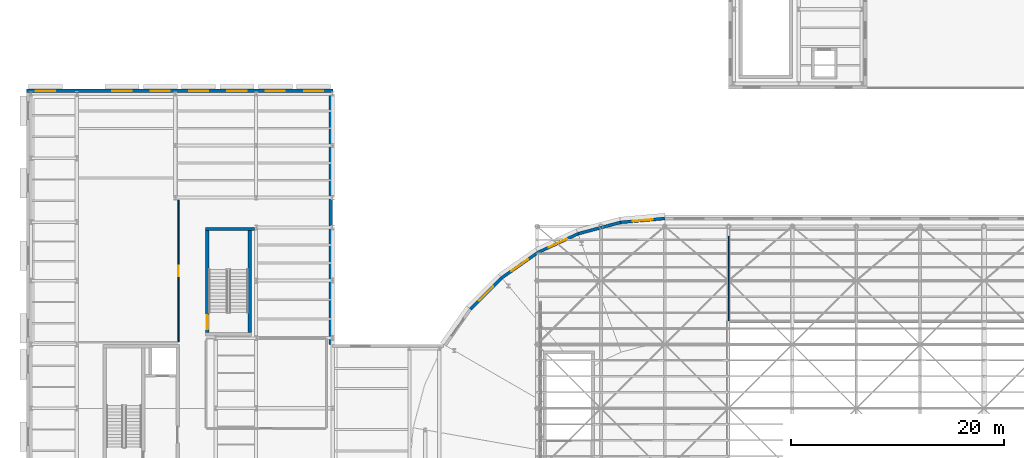
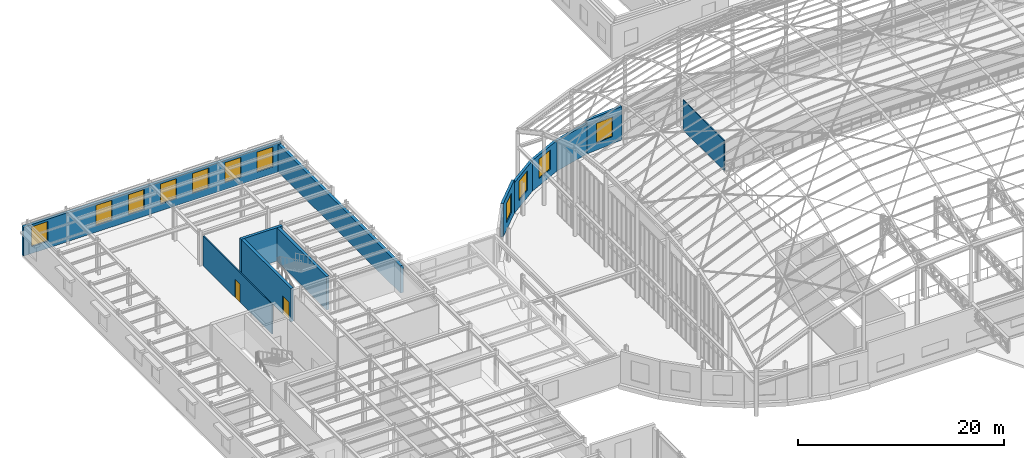
# One storey, part 64 of 75: 12 walls, 11 windows, 2 doors, 13 openings.
"""IFC4 building model written with IfcOpenShell, lengths in metres."""

from ifc_helpers import new_model, si_unit, direction, frame, frame_2d, origin, place, context, subcontext, project, spatial, rectangle, extrude, material, layer, layer_set, type_object, element, fill, save


model = new_model("IFC4")

# Units and contexts
model_context = context("Model", 3, precision=1e-05, world=origin(), true_north=direction((0.0, 1.0)))
body_context = subcontext(model_context, "Body", "Model", "MODEL_VIEW")
ifc_project = project(units=[si_unit("LENGTHUNIT", "METRE"), si_unit("AREAUNIT", "SQUARE_METRE"), si_unit("VOLUMEUNIT", "CUBIC_METRE"), si_unit("PLANEANGLEUNIT", "RADIAN"), si_unit("MASSUNIT", "GRAM", prefix="KILO")], contexts=[model_context])

# Site, building, storey
site_placement = place(None, origin())
site = spatial("IfcSite", under=ifc_project, at=site_placement, CompositionType="ELEMENT")
building_placement = place(site_placement, origin())
building = spatial("IfcBuilding", under=site, at=building_placement, Name="Kolvaren Corner Interchange", CompositionType="ELEMENT")
storey_placement = place(building_placement, frame((0.0, 0.0, 10.5)))
storey = spatial("IfcBuildingStorey", under=building, at=storey_placement, Name="L03", CompositionType="ELEMENT", Elevation=10.5)

# Wall
ifc_material_1 = material(Name="Concrete C35/45", Category="concrete")
ifc_layer_1 = layer(ifc_material_1, 0.31005859375)
ifc_layer_set_1 = layer_set([ifc_layer_1], Name="Concrete C35/45")
wall_type_1 = type_object("IfcWallType", Name="WL-STAIR-300", PredefinedType="SHEAR", material=ifc_layer_set_1)
wall_1_placement = place(storey_placement, frame((16.85009765625, 70.844970703125, 0.0), z_axis=(0.0, 0.0, 1.0), x_axis=(1.0, 0.0, 0.0)))
element("IfcWall", 1, at=wall_1_placement, inside=storey, type_object=wall_type_1, Name="Operations North Wing Protected Exit Stair L03 North Enclosure Wall", PredefinedType="SHEAR", context=body_context, shape_type="SweptSolid", body=[
    extrude(rectangle(XDim=4.599853515625, YDim=0.31005859375, at=frame_2d((2.2998046875, 0.0))), origin(), (0.0, 0.0, 1.0), 3.949951171875),
])

# Wall, opening, door
wall_2_placement = place(storey_placement, frame((17.0048828125, 61.110107421875, 0.0), z_axis=(0.0, 0.0, 1.0), x_axis=(0.0, 1.0, 0.0)))
wall_2 = element("IfcWall", 2, at=wall_2_placement, inside=storey, type_object=wall_type_1, Name="Operations North Wing Protected Exit Stair L03 West Enclosure Wall", PredefinedType="SHEAR", context=body_context, shape_type="SweptSolid", body=[
    extrude(rectangle(XDim=9.579833984375, YDim=0.31005859375, at=frame_2d((4.7900390625, 0.0))), origin(), (0.0, 0.0, 1.0), 3.949951171875),
])
opening_1_placement = place(wall_2_placement, frame((0.300048828125, 0.0, 0.0)))
opening_1 = element("IfcOpeningElement", 3, at=opening_1_placement, cuts=wall_2, Name="Opening D-F05", PredefinedType="OPENING", context=body_context, shape_type="SweptSolid", body=[
    extrude(rectangle(XDim=1.35009765625, YDim=2.14990234375, at=frame_2d((0.675048828125, 1.074951171875))), frame((0.0, 0.1650390625, 0.0), z_axis=(0.0, -1.0, 0.0), x_axis=(1.0, 0.0, 0.0)), (0.0, 0.0, 1.0), 0.330078125),
])
ifc_material_2 = material(Name="Powder-coated Fire-rated Steel Sheet", Category="steel")
door_type_1 = type_object("IfcDoorType", Name="DT-FD-1350x2150", OperationType="NOTDEFINED", PredefinedType="DOOR", material=ifc_material_2)
door_1_placement = place(opening_1_placement, origin())
door_1 = element("IfcDoor", 4, at=door_1_placement, inside=storey, type_object=door_type_1, Name="Operations North Wing Protected Exit Stair L03 Protected Exit Door", OperationType="DOUBLE_DOOR_SINGLE_SWING", OverallHeight=2.14990234375, OverallWidth=1.35009765625, PredefinedType="DOOR", context=body_context, shape_type="SweptSolid", body=[
    extrude(rectangle(XDim=1.35009765625, YDim=2.14990234375, at=frame_2d((0.675048828125, 1.074951171875))), frame((0.0, 0.02490234375, 0.0), z_axis=(0.0, -1.0, 0.0), x_axis=(1.0, 0.0, 0.0)), (0.0, 0.0, 1.0), 0.050048828125),
])
fill(opening_1, door_1)

# Walls
wall_3_placement = place(storey_placement, frame((20.9951171875, 61.110107421875, 0.0), z_axis=(0.0, 0.0, 1.0), x_axis=(0.0, 1.0, 0.0)))
element("IfcWall", 5, at=wall_3_placement, inside=storey, type_object=wall_type_1, Name="Operations North Wing Protected Exit Stair L03 East Enclosure Wall", PredefinedType="SHEAR", context=body_context, shape_type="SweptSolid", body=[
    extrude(rectangle(XDim=9.579833984375, YDim=0.31005859375, at=frame_2d((4.7900390625, 0.0))), origin(), (0.0, 0.0, 1.0), 3.949951171875),
])
ifc_material_3 = material(Name="Cream Architectural Terracotta Rainscreen Assembly", Category="masonry")
ifc_layer_2 = layer(ifc_material_3, 0.330078125)
ifc_layer_set_2 = layer_set([ifc_layer_2], Name="Cream Architectural Terracotta Rainscreen Assembly")
wall_type_2 = type_object("IfcWallType", Name="WT-EXT-TC320", PredefinedType="SOLIDWALL", material=ifc_layer_set_2)
wall_4_placement = place(storey_placement, frame((28.6298828125, 60.0, 0.0), z_axis=(0.0, 0.0, 1.0), x_axis=(0.0, 1.0, 0.0)))
element("IfcWall", 6, at=wall_4_placement, inside=storey, type_object=wall_type_2, Name="Operations Rain Court East Facade Wall 0032", PredefinedType="SOLIDWALL", context=body_context, shape_type="SweptSolid", body=[
    extrude(rectangle(XDim=23.659912109375, YDim=0.330078125, at=frame_2d((11.830078125, 0.0))), origin(), (0.0, 0.0, 1.0), 3.235107421875),
])

# Wall, openings, windows
wall_5_placement = place(storey_placement, frame((28.800048828125, 83.830078125, 0.0), z_axis=(0.0, 0.0, 1.0), x_axis=(-1.0, 0.0, 0.0)))
wall_5 = element("IfcWall", 7, at=wall_5_placement, inside=storey, type_object=wall_type_2, Name="Operations North End Facade Wall 0033", PredefinedType="SOLIDWALL", context=body_context, shape_type="SweptSolid", body=[
    extrude(rectangle(XDim=28.800048828125, YDim=0.330078125, at=frame_2d((14.39990234375, 0.0))), origin(), (0.0, 0.0, 1.0), 3.425048828125),
])
opening_2_placement = place(wall_5_placement, frame((0.89990234375, 0.0, 0.820068359375)))
opening_2 = element("IfcOpeningElement", 8, at=opening_2_placement, cuts=wall_5, Name="Opening W-03", PredefinedType="OPENING", context=body_context, shape_type="SweptSolid", body=[
    extrude(rectangle(XDim=1.800048828125, YDim=2.35009765625, at=frame_2d((0.89990234375, 1.175048828125))), frame((0.0, 0.175048828125, 0.0), z_axis=(0.0, -1.0, 0.0), x_axis=(1.0, 0.0, 0.0)), (0.0, 0.0, 1.0), 0.35009765625),
])
opening_3_placement = place(wall_5_placement, frame((4.5, 0.0, 0.820068359375)))
opening_3 = element("IfcOpeningElement", 9, at=opening_3_placement, cuts=wall_5, Name="Opening W-03", PredefinedType="OPENING", context=body_context, shape_type="SweptSolid", body=[
    extrude(rectangle(XDim=1.800048828125, YDim=2.35009765625, at=frame_2d((0.89990234375, 1.175048828125))), frame((0.0, 0.175048828125, 0.0), z_axis=(0.0, -1.0, 0.0), x_axis=(1.0, 0.0, 0.0)), (0.0, 0.0, 1.0), 0.35009765625),
])
opening_4_placement = place(wall_5_placement, frame((8.10009765625, 0.0, 0.820068359375)))
opening_4 = element("IfcOpeningElement", 10, at=opening_4_placement, cuts=wall_5, Name="Opening W-03", PredefinedType="OPENING", context=body_context, shape_type="SweptSolid", body=[
    extrude(rectangle(XDim=1.800048828125, YDim=2.35009765625, at=frame_2d((0.89990234375, 1.175048828125))), frame((0.0, 0.175048828125, 0.0), z_axis=(0.0, -1.0, 0.0), x_axis=(1.0, 0.0, 0.0)), (0.0, 0.0, 1.0), 0.35009765625),
])
opening_5_placement = place(wall_5_placement, frame((11.699951171875, 0.0, 0.820068359375)))
opening_5 = element("IfcOpeningElement", 11, at=opening_5_placement, cuts=wall_5, Name="Opening W-03", PredefinedType="OPENING", context=body_context, shape_type="SweptSolid", body=[
    extrude(rectangle(XDim=1.800048828125, YDim=2.35009765625, at=frame_2d((0.89990234375, 1.175048828125))), frame((0.0, 0.175048828125, 0.0), z_axis=(0.0, -1.0, 0.0), x_axis=(1.0, 0.0, 0.0)), (0.0, 0.0, 1.0), 0.35009765625),
])
opening_6_placement = place(wall_5_placement, frame((15.300048828125, 0.0, 0.820068359375)))
opening_6 = element("IfcOpeningElement", 12, at=opening_6_placement, cuts=wall_5, Name="Opening W-03", PredefinedType="OPENING", context=body_context, shape_type="SweptSolid", body=[
    extrude(rectangle(XDim=1.800048828125, YDim=2.35009765625, at=frame_2d((0.89990234375, 1.175048828125))), frame((0.0, 0.175048828125, 0.0), z_axis=(0.0, -1.0, 0.0), x_axis=(1.0, 0.0, 0.0)), (0.0, 0.0, 1.0), 0.35009765625),
])
opening_7_placement = place(wall_5_placement, frame((18.89990234375, 0.0, 0.820068359375)))
opening_7 = element("IfcOpeningElement", 13, at=opening_7_placement, cuts=wall_5, Name="Opening W-03", PredefinedType="OPENING", context=body_context, shape_type="SweptSolid", body=[
    extrude(rectangle(XDim=1.800048828125, YDim=2.35009765625, at=frame_2d((0.89990234375, 1.175048828125))), frame((0.0, 0.175048828125, 0.0), z_axis=(0.0, -1.0, 0.0), x_axis=(1.0, 0.0, 0.0)), (0.0, 0.0, 1.0), 0.35009765625),
])
opening_8_placement = place(wall_5_placement, frame((26.10009765625, 0.0, 0.820068359375)))
opening_8 = element("IfcOpeningElement", 14, at=opening_8_placement, cuts=wall_5, Name="Opening W-03", PredefinedType="OPENING", context=body_context, shape_type="SweptSolid", body=[
    extrude(rectangle(XDim=1.800048828125, YDim=2.35009765625, at=frame_2d((0.89990234375, 1.175048828125))), frame((0.0, 0.175048828125, 0.0), z_axis=(0.0, -1.0, 0.0), x_axis=(1.0, 0.0, 0.0)), (0.0, 0.0, 1.0), 0.35009765625),
])
ifc_material_4 = material(Name="Thermally Broken Aluminium and Solar-Control Double Glazing", Category="aluminium")
window_type_1 = type_object("IfcWindowType", Name="WT-CHI-1800x2400", PartitioningType="DOUBLE_PANEL_VERTICAL", PredefinedType="WINDOW", material=ifc_material_4)
window_1_placement = place(opening_2_placement, origin())
window_1 = element("IfcWindow", 15, at=window_1_placement, inside=storey, type_object=window_type_1, Name="L03 Operations North End Facade Window 0066", OverallHeight=2.35009765625, OverallWidth=1.800048828125, PartitioningType="SINGLE_PANEL", PredefinedType="WINDOW", context=body_context, shape_type="SweptSolid", body=[
    extrude(rectangle(XDim=1.800048828125, YDim=2.35009765625, at=frame_2d((0.89990234375, 1.175048828125))), frame((0.0, 0.030029296875, 0.0), z_axis=(0.0, -1.0, 0.0), x_axis=(1.0, 0.0, 0.0)), (0.0, 0.0, 1.0), 0.06005859375),
])
fill(opening_2, window_1)
window_2_placement = place(opening_3_placement, origin())
window_2 = element("IfcWindow", 16, at=window_2_placement, inside=storey, type_object=window_type_1, Name="L03 Operations North End Facade Window 0067", OverallHeight=2.35009765625, OverallWidth=1.800048828125, PartitioningType="SINGLE_PANEL", PredefinedType="WINDOW", context=body_context, shape_type="SweptSolid", body=[
    extrude(rectangle(XDim=1.800048828125, YDim=2.35009765625, at=frame_2d((0.89990234375, 1.175048828125))), frame((0.0, 0.030029296875, 0.0), z_axis=(0.0, -1.0, 0.0), x_axis=(1.0, 0.0, 0.0)), (0.0, 0.0, 1.0), 0.06005859375),
])
fill(opening_3, window_2)
window_3_placement = place(opening_4_placement, origin())
window_3 = element("IfcWindow", 17, at=window_3_placement, inside=storey, type_object=window_type_1, Name="L03 Operations North End Facade Window 0068", OverallHeight=2.35009765625, OverallWidth=1.800048828125, PartitioningType="SINGLE_PANEL", PredefinedType="WINDOW", context=body_context, shape_type="SweptSolid", body=[
    extrude(rectangle(XDim=1.800048828125, YDim=2.35009765625, at=frame_2d((0.89990234375, 1.175048828125))), frame((0.0, 0.030029296875, 0.0), z_axis=(0.0, -1.0, 0.0), x_axis=(1.0, 0.0, 0.0)), (0.0, 0.0, 1.0), 0.06005859375),
])
fill(opening_4, window_3)
window_4_placement = place(opening_5_placement, origin())
window_4 = element("IfcWindow", 18, at=window_4_placement, inside=storey, type_object=window_type_1, Name="L03 Operations North End Facade Window 0069", OverallHeight=2.35009765625, OverallWidth=1.800048828125, PartitioningType="SINGLE_PANEL", PredefinedType="WINDOW", context=body_context, shape_type="SweptSolid", body=[
    extrude(rectangle(XDim=1.800048828125, YDim=2.35009765625, at=frame_2d((0.89990234375, 1.175048828125))), frame((0.0, 0.030029296875, 0.0), z_axis=(0.0, -1.0, 0.0), x_axis=(1.0, 0.0, 0.0)), (0.0, 0.0, 1.0), 0.06005859375),
])
fill(opening_5, window_4)
window_5_placement = place(opening_6_placement, origin())
window_5 = element("IfcWindow", 19, at=window_5_placement, inside=storey, type_object=window_type_1, Name="L03 Operations North End Facade Window 0070", OverallHeight=2.35009765625, OverallWidth=1.800048828125, PartitioningType="SINGLE_PANEL", PredefinedType="WINDOW", context=body_context, shape_type="SweptSolid", body=[
    extrude(rectangle(XDim=1.800048828125, YDim=2.35009765625, at=frame_2d((0.89990234375, 1.175048828125))), frame((0.0, 0.030029296875, 0.0), z_axis=(0.0, -1.0, 0.0), x_axis=(1.0, 0.0, 0.0)), (0.0, 0.0, 1.0), 0.06005859375),
])
fill(opening_6, window_5)
window_6_placement = place(opening_7_placement, origin())
window_6 = element("IfcWindow", 20, at=window_6_placement, inside=storey, type_object=window_type_1, Name="L03 Operations North End Facade Window 0071", OverallHeight=2.35009765625, OverallWidth=1.800048828125, PartitioningType="SINGLE_PANEL", PredefinedType="WINDOW", context=body_context, shape_type="SweptSolid", body=[
    extrude(rectangle(XDim=1.800048828125, YDim=2.35009765625, at=frame_2d((0.89990234375, 1.175048828125))), frame((0.0, 0.030029296875, 0.0), z_axis=(0.0, -1.0, 0.0), x_axis=(1.0, 0.0, 0.0)), (0.0, 0.0, 1.0), 0.06005859375),
])
fill(opening_7, window_6)
window_7_placement = place(opening_8_placement, origin())
window_7 = element("IfcWindow", 21, at=window_7_placement, inside=storey, type_object=window_type_1, Name="L03 Operations North End Facade Window 0072", OverallHeight=2.35009765625, OverallWidth=1.800048828125, PartitioningType="SINGLE_PANEL", PredefinedType="WINDOW", context=body_context, shape_type="SweptSolid", body=[
    extrude(rectangle(XDim=1.800048828125, YDim=2.35009765625, at=frame_2d((0.89990234375, 1.175048828125))), frame((0.0, 0.030029296875, 0.0), z_axis=(0.0, -1.0, 0.0), x_axis=(1.0, 0.0, 0.0)), (0.0, 0.0, 1.0), 0.06005859375),
])
fill(opening_8, window_7)

# Wall, opening, window
ifc_material_5 = material(Name="White Glazed Ceramic Terracotta Band Assembly", Category="masonry")
ifc_layer_3 = layer(ifc_material_5, 0.280029296875)
ifc_layer_set_3 = layer_set([ifc_layer_3], Name="White Glazed Ceramic Terracotta Band Assembly")
wall_type_3 = type_object("IfcWallType", Name="WT-EXT-WHT280", PredefinedType="SOLIDWALL", material=ifc_layer_set_3)
wall_6_placement = place(storey_placement, frame((60.0, 71.840087890625, 0.0), z_axis=(0.0, 0.0, 1.0), x_axis=(-0.99619237826, -0.087182254487, 0.0)))
wall_6 = element("IfcWall", 22, at=wall_6_placement, inside=storey, type_object=wall_type_3, Name="Racetrack West Curved Drum Chord 01 Wall 0089", PredefinedType="SOLIDWALL", context=body_context, shape_type="SweptSolid", body=[
    extrude(rectangle(XDim=4.15576171875, YDim=0.280029296875, at=frame_2d((2.077880859375, 0.0))), origin(), (0.0, 0.0, 1.0), 3.949951171875),
])
opening_9_placement = place(wall_6_placement, frame((1.127685546875, 0.0, 0.85009765625)))
opening_9 = element("IfcOpeningElement", 23, at=opening_9_placement, cuts=wall_6, Name="Opening W-05", PredefinedType="OPENING", context=body_context, shape_type="SweptSolid", body=[
    extrude(rectangle(XDim=1.89990234375, YDim=2.300048828125, at=frame_2d((0.949951171875, 1.14990234375))), frame((0.0, 0.14990234375, 0.0), z_axis=(0.0, -1.0, 0.0), x_axis=(1.0, 0.0, 0.0)), (0.0, 0.0, 1.0), 0.300048828125),
])
ifc_material_6 = material(Name="Thermally Broken Aluminium and Solar-Control Double Glazing", Category="aluminium")
window_type_2 = type_object("IfcWindowType", Name="WT-ARC-1900x2300", PartitioningType="DOUBLE_PANEL_VERTICAL", PredefinedType="WINDOW", material=ifc_material_6)
window_8_placement = place(opening_9_placement, origin())
window_8 = element("IfcWindow", 24, at=window_8_placement, inside=storey, type_object=window_type_2, Name="L03 Racetrack West Curved Drum Chord 01 Window 0165", OverallHeight=2.300048828125, OverallWidth=1.89990234375, PartitioningType="SINGLE_PANEL", PredefinedType="WINDOW", context=body_context, shape_type="SweptSolid", body=[
    extrude(rectangle(XDim=1.89990234375, YDim=2.300048828125, at=frame_2d((0.949951171875, 1.14990234375))), frame((0.0, 0.030029296875, 0.0), z_axis=(0.0, -1.0, 0.0), x_axis=(1.0, 0.0, 0.0)), (0.0, 0.0, 1.0), 0.06005859375),
])
fill(opening_9, window_8)

# Wall
wall_7_placement = place(storey_placement, frame((55.860107421875, 71.477783203125, 0.0), z_axis=(0.0, 0.0, 1.0), x_axis=(-0.965931006096, -0.258799713026, 0.0)))
element("IfcWall", 25, at=wall_7_placement, inside=storey, type_object=wall_type_3, Name="Racetrack West Curved Drum Chord 02 Wall 0090", PredefinedType="SOLIDWALL", context=body_context, shape_type="SweptSolid", body=[
    extrude(rectangle(XDim=4.155517578125, YDim=0.280029296875, at=frame_2d((2.07763671875, 0.0))), origin(), (0.0, 0.0, 1.0), 3.5849609375),
])

# Wall, opening, window
wall_8_placement = place(storey_placement, frame((51.84619140625, 70.40234375, 0.0), z_axis=(0.0, 0.0, 1.0), x_axis=(-0.906291177731, -0.422653878685, 0.0)))
wall_8 = element("IfcWall", 26, at=wall_8_placement, inside=storey, type_object=wall_type_3, Name="Racetrack West Curved Drum Chord 03 Wall 0091", PredefinedType="SOLIDWALL", context=body_context, shape_type="SweptSolid", body=[
    extrude(rectangle(XDim=4.155517578125, YDim=0.280029296875, at=frame_2d((2.07763671875, 0.0))), origin(), (0.0, 0.0, 1.0), 3.625),
])
opening_10_placement = place(wall_8_placement, frame((1.127685546875, 0.0, 0.85009765625)))
opening_10 = element("IfcOpeningElement", 27, at=opening_10_placement, cuts=wall_8, Name="Opening W-05", PredefinedType="OPENING", context=body_context, shape_type="SweptSolid", body=[
    extrude(rectangle(XDim=1.89990234375, YDim=2.300048828125, at=frame_2d((0.949951171875, 1.14990234375))), frame((0.0, 0.14990234375, 0.0), z_axis=(0.0, -1.0, 0.0), x_axis=(1.0, 0.0, 0.0)), (0.0, 0.0, 1.0), 0.300048828125),
])
window_9_placement = place(opening_10_placement, origin())
window_9 = element("IfcWindow", 28, at=window_9_placement, inside=storey, type_object=window_type_2, Name="L03 Racetrack West Curved Drum Chord 03 Window 0166", OverallHeight=2.300048828125, OverallWidth=1.89990234375, PartitioningType="SINGLE_PANEL", PredefinedType="WINDOW", context=body_context, shape_type="SweptSolid", body=[
    extrude(rectangle(XDim=1.89990234375, YDim=2.300048828125, at=frame_2d((0.949951171875, 1.14990234375))), frame((0.0, 0.030029296875, 0.0), z_axis=(0.0, -1.0, 0.0), x_axis=(1.0, 0.0, 0.0)), (0.0, 0.0, 1.0), 0.06005859375),
])
fill(opening_10, window_9)

wall_9_placement = place(storey_placement, frame((48.080078125, 68.64599609375, 0.0), z_axis=(0.0, 0.0, 1.0), x_axis=(-0.819171197327, -0.573549082007, 0.0)))
wall_9 = element("IfcWall", 29, at=wall_9_placement, inside=storey, type_object=wall_type_3, Name="Racetrack West Curved Drum Chord 04 Wall 0092", PredefinedType="SOLIDWALL", context=body_context, shape_type="SweptSolid", body=[
    extrude(rectangle(XDim=4.15576171875, YDim=0.280029296875, at=frame_2d((2.077880859375, 0.0))), origin(), (0.0, 0.0, 1.0), 3.625),
])
opening_11_placement = place(wall_9_placement, frame((1.127685546875, 0.0, 0.85009765625)))
opening_11 = element("IfcOpeningElement", 30, at=opening_11_placement, cuts=wall_9, Name="Opening W-05", PredefinedType="OPENING", context=body_context, shape_type="SweptSolid", body=[
    extrude(rectangle(XDim=1.89990234375, YDim=2.300048828125, at=frame_2d((0.949951171875, 1.14990234375))), frame((0.0, 0.14990234375, 0.0), z_axis=(0.0, -1.0, 0.0), x_axis=(1.0, 0.0, 0.0)), (0.0, 0.0, 1.0), 0.300048828125),
])
window_10_placement = place(opening_11_placement, origin())
window_10 = element("IfcWindow", 31, at=window_10_placement, inside=storey, type_object=window_type_2, Name="L03 Racetrack West Curved Drum Chord 04 Window 0167", OverallHeight=2.300048828125, OverallWidth=1.89990234375, PartitioningType="SINGLE_PANEL", PredefinedType="WINDOW", context=body_context, shape_type="SweptSolid", body=[
    extrude(rectangle(XDim=1.89990234375, YDim=2.300048828125, at=frame_2d((0.949951171875, 1.14990234375))), frame((0.0, 0.030029296875, 0.0), z_axis=(0.0, -1.0, 0.0), x_axis=(1.0, 0.0, 0.0)), (0.0, 0.0, 1.0), 0.06005859375),
])
fill(opening_11, window_10)

wall_10_placement = place(storey_placement, frame((44.67578125, 66.262451171875, 0.0), z_axis=(0.0, 0.0, 1.0), x_axis=(-0.707106781187, -0.707106781187, 0.0)))
wall_10 = element("IfcWall", 32, at=wall_10_placement, inside=storey, type_object=wall_type_3, Name="Racetrack West Curved Drum Chord 05 Wall 0093", PredefinedType="SOLIDWALL", context=body_context, shape_type="SweptSolid", body=[
    extrude(rectangle(XDim=4.1552734375, YDim=0.280029296875, at=frame_2d((2.07763671875, 0.0))), origin(), (0.0, 0.0, 1.0), 3.949951171875),
])
opening_12_placement = place(wall_10_placement, frame((1.127685546875, 0.0, 0.85009765625)))
opening_12 = element("IfcOpeningElement", 33, at=opening_12_placement, cuts=wall_10, Name="Opening W-05", PredefinedType="OPENING", context=body_context, shape_type="SweptSolid", body=[
    extrude(rectangle(XDim=1.89990234375, YDim=2.300048828125, at=frame_2d((0.949951171875, 1.14990234375))), frame((0.0, 0.14990234375, 0.0), z_axis=(0.0, -1.0, 0.0), x_axis=(1.0, 0.0, 0.0)), (0.0, 0.0, 1.0), 0.300048828125),
])
window_11_placement = place(opening_12_placement, origin())
window_11 = element("IfcWindow", 34, at=window_11_placement, inside=storey, type_object=window_type_2, Name="L03 Racetrack West Curved Drum Chord 05 Window 0168", OverallHeight=2.300048828125, OverallWidth=1.89990234375, PartitioningType="SINGLE_PANEL", PredefinedType="WINDOW", context=body_context, shape_type="SweptSolid", body=[
    extrude(rectangle(XDim=1.89990234375, YDim=2.300048828125, at=frame_2d((0.949951171875, 1.14990234375))), frame((0.0, 0.030029296875, 0.0), z_axis=(0.0, -1.0, 0.0), x_axis=(1.0, 0.0, 0.0)), (0.0, 0.0, 1.0), 0.06005859375),
])
fill(opening_12, window_11)

# Wall
ifc_material_7 = material(Name="Framed Acoustic Glazed Office Screen")
ifc_layer_4 = layer(ifc_material_7, 0.10009765625)
ifc_layer_set_4 = layer_set([ifc_layer_4], Name="Framed Acoustic Glazed Office Screen")
wall_type_4 = type_object("IfcWallType", Name="WT-PART-GL100", PredefinedType="MOVABLE", material=ifc_layer_set_4)
wall_11_placement = place(storey_placement, frame((66.0, 70.18994140625, 0.0), z_axis=(0.0, 0.0, 1.0), x_axis=(0.0, -1.0, 0.0)))
element("IfcWall", 35, at=wall_11_placement, inside=storey, type_object=wall_type_4, Name="L03 North Sky Lounge Suite Partition Wall 121", PredefinedType="MOVABLE", context=body_context, shape_type="SweptSolid", body=[
    extrude(rectangle(XDim=7.93994140625, YDim=0.10009765625, at=frame_2d((3.969970703125, 0.0))), origin(), (0.0, 0.0, 1.0), 3.580078125),
])

# Wall, opening, door
ifc_material_8 = material(Name="Standard Metal-Stud Drywall Partition")
ifc_layer_5 = layer(ifc_material_8, 0.1201171875)
ifc_layer_set_5 = layer_set([ifc_layer_5], Name="Standard Metal-Stud Drywall Partition")
wall_type_5 = type_object("IfcWallType", Name="WT-PART-ST125", PredefinedType="PARTITIONING", material=ifc_layer_set_5)
wall_12_placement = place(storey_placement, frame((14.300048828125, 60.261962890625, 0.0), z_axis=(0.0, 0.0, 1.0), x_axis=(0.0, 1.0, 0.0)))
wall_12 = element("IfcWall", 36, at=wall_12_placement, inside=storey, type_object=wall_type_5, Name="L03 Staff Records and Archive Suite Partition Wall 137", PredefinedType="PARTITIONING", context=body_context, shape_type="SweptSolid", body=[
    extrude(rectangle(XDim=13.298095703125, YDim=0.1201171875, at=frame_2d((6.64892578125, 0.0))), origin(), (0.0, 0.0, 1.0), 3.52490234375),
])
opening_13_placement = place(wall_12_placement, frame((6.158935546875, 0.0, 0.0)))
opening_13 = element("IfcOpeningElement", 37, at=opening_13_placement, cuts=wall_12, Name="Opening D-I03", PredefinedType="OPENING", context=body_context, shape_type="SweptSolid", body=[
    extrude(rectangle(XDim=0.97998046875, YDim=2.14990234375, at=frame_2d((0.489990234375, 1.074951171875))), frame((0.0, 0.070068359375, 0.0), z_axis=(0.0, -1.0, 0.0), x_axis=(1.0, 0.0, 0.0)), (0.0, 0.0, 1.0), 0.14013671875),
])
ifc_material_9 = material(Name="Solid-Core Iroko Timber Door", Category="wood")
door_type_2 = type_object("IfcDoorType", Name="DT-INT-980x2150", OperationType="NOTDEFINED", PredefinedType="DOOR", material=ifc_material_9)
door_2_placement = place(opening_13_placement, origin())
door_2 = element("IfcDoor", 38, at=door_2_placement, inside=storey, type_object=door_type_2, Name="L03 Staff Records and Archive Suite Door", OperationType="SINGLE_SWING_LEFT", OverallHeight=2.14990234375, OverallWidth=0.97998046875, PredefinedType="DOOR", context=body_context, shape_type="SweptSolid", body=[
    extrude(rectangle(XDim=0.97998046875, YDim=2.14990234375, at=frame_2d((0.489990234375, 1.074951171875))), frame((0.0, 0.02490234375, 0.0), z_axis=(0.0, -1.0, 0.0), x_axis=(1.0, 0.0, 0.0)), (0.0, 0.0, 1.0), 0.050048828125),
])
fill(opening_13, door_2)

save(model, "model.ifc")
